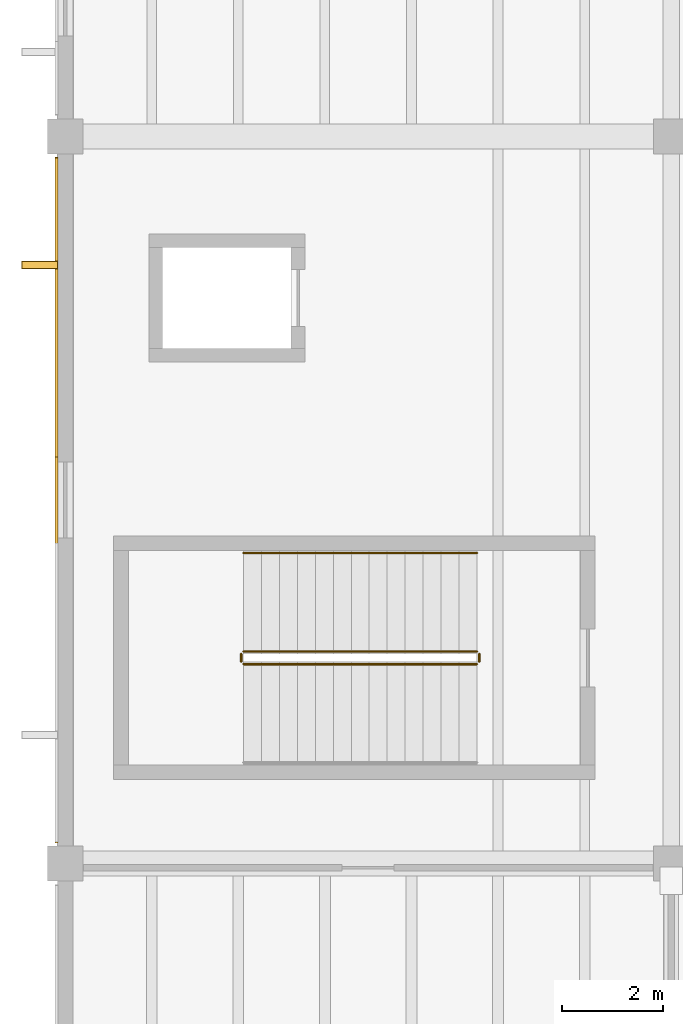
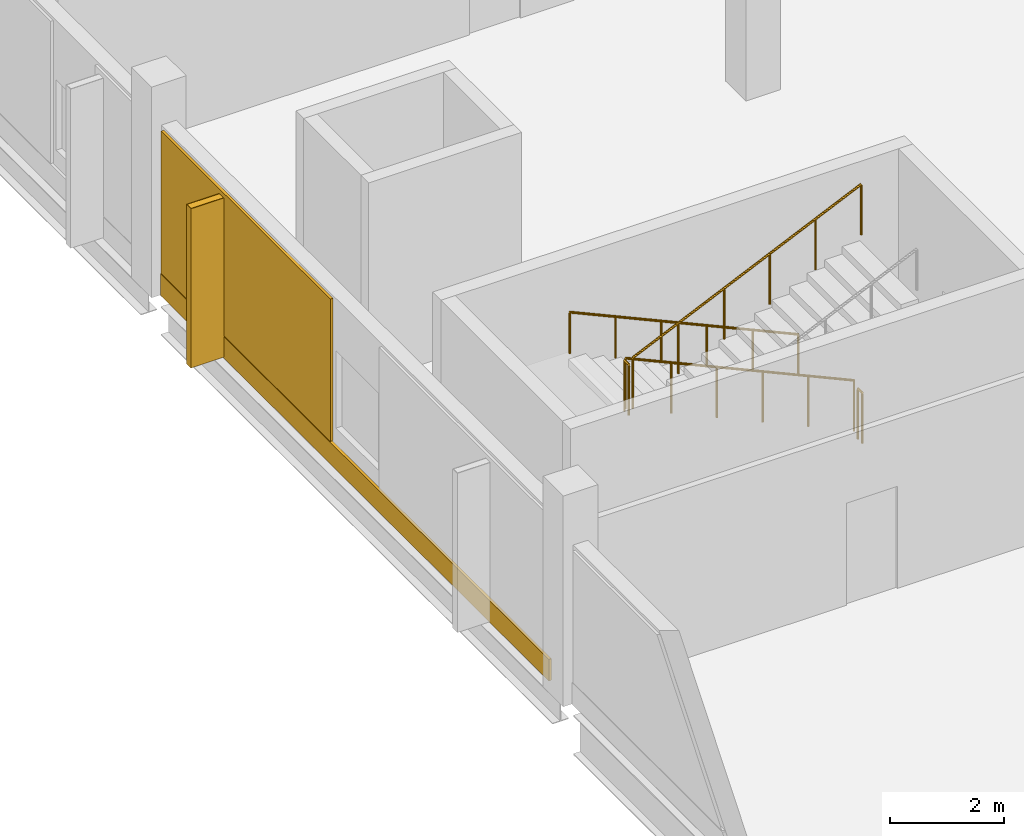
# One storey, part 101 of 114: 5 railings, 3 coverings, 1 shading device.
"""IFC4 building model written with IfcOpenShell, lengths in metres."""

from ifc_helpers import new_model, si_unit, direction, frame, origin, origin_2d, place, context, subcontext, project, spatial, rectangle, circle, extrude, material, layer, layer_set, type_object, element, save


model = new_model("IFC4")

# Units and contexts
model_context = context("Model", 3, precision=1e-05, world=origin(), true_north=direction((0.0, 1.0)))
body_context = subcontext(model_context, "Body", "Model", "MODEL_VIEW")
ifc_project = project(units=[si_unit("LENGTHUNIT", "METRE"), si_unit("AREAUNIT", "SQUARE_METRE"), si_unit("VOLUMEUNIT", "CUBIC_METRE"), si_unit("PLANEANGLEUNIT", "RADIAN"), si_unit("MASSUNIT", "GRAM", prefix="KILO")], contexts=[model_context])

# Site, building, storey
site_placement = place(None, origin())
site = spatial("IfcSite", under=ifc_project, at=site_placement, CompositionType="ELEMENT")
building_placement = place(site_placement, origin())
building = spatial("IfcBuilding", under=site, at=building_placement, Name="Kelmvaro Bay Concert Hall", CompositionType="ELEMENT")
storey_placement = place(building_placement, frame((0.0, 0.0, 4.800048828125)))
storey = spatial("IfcBuildingStorey", under=building, at=storey_placement, Name="L01", CompositionType="ELEMENT", Elevation=4.800048828125)

# Shading device
ifc_material_1 = material(Name="Anodised Extruded Aluminium 6063-T6", Category="aluminium")
ifc_layer_1 = layer(ifc_material_1, 3.39990234375)
ifc_layer_set_1 = layer_set([ifc_layer_1], Name="Anodised Extruded Aluminium 6063-T6")
shading_device_type = type_object("IfcShadingDeviceType", Name="Bauhaus Vertical Solar Brise-Soleil Fin 720x3400", PredefinedType="SHUTTER", material=ifc_layer_set_1)
shading_device_placement = place(storey_placement, frame((-0.506103515625, 27.4580078125, 0.06005859375), z_axis=(0.0, 0.0, 1.0), x_axis=(0.0, 1.0, 0.0)))
element("IfcShadingDevice", 1, at=shading_device_placement, inside=storey, type_object=shading_device_type, Name="L01 Solar Brise-Soleil Fin 111", PredefinedType="SHUTTER", context=body_context, shape_type="SweptSolid", body=[
    extrude(rectangle(XDim=0.159912109375, YDim=0.719970703125, at=origin_2d()), origin(), (0.0, 0.0, 1.0), 3.39990234375),
])

# Coverings
ifc_material_2 = material(Name="PVDF-Coated Architectural Aluminium", Category="aluminium")
ifc_layer_2 = layer(ifc_material_2, 0.0400390625)
ifc_layer_set_2 = layer_set([ifc_layer_2], Name="PVDF-Coated Architectural Aluminium")
covering_type_1 = type_object("IfcCoveringType", Name="De Stijl Enamelled Aluminium Fascia Panel 40", PredefinedType="CLADDING", material=ifc_layer_set_2)
covering_1_placement = place(storey_placement, frame((-0.506103515625, 27.4580078125, 0.06005859375), z_axis=(0.0, 0.0, 1.0), x_axis=(0.0, 1.0, 0.0)))
element("IfcCovering", 2, at=covering_1_placement, inside=storey, type_object=covering_type_1, Name="L01 Architectural Vertical Fin Cladding 0557", PredefinedType="CLADDING", context=body_context, shape_type="SweptSolid", body=[
    extrude(rectangle(XDim=0.139892578125, YDim=0.699951171875, at=origin_2d()), origin(), (0.0, 0.0, 1.0), 3.39990234375),
])
ifc_material_3 = material(Name="Honed Florida Limestone Travertine", Category="masonry")
ifc_layer_3 = layer(ifc_material_3, 0.054931640625)
ifc_layer_set_3 = layer_set([ifc_layer_3], Name="Honed Florida Limestone Travertine")
covering_type_2 = type_object("IfcCoveringType", Name="Honed Florida Travertine Rainscreen Cladding 55", PredefinedType="CLADDING", material=ifc_layer_set_3)
covering_2_placement = place(storey_placement, frame((-0.175537109375, 22.800048828125, 0.0400390625), z_axis=(0.0, 0.0, 1.0), x_axis=(0.0, 1.0, 0.0)))
element("IfcCovering", 3, at=covering_2_placement, inside=storey, type_object=covering_type_2, Name="L01 Travertine Sill Band 0555", PredefinedType="CLADDING", context=body_context, shape_type="SweptSolid", body=[
    extrude(rectangle(XDim=13.580078125, YDim=0.054931640625, at=origin_2d()), origin(), (0.0, 0.0, 1.0), 0.4599609375),
])
covering_3_placement = place(storey_placement, frame((-0.175537109375, 26.610107421875, 0.52001953125), z_axis=(0.0, 0.0, 1.0), x_axis=(0.0, 1.0, 0.0)))
element("IfcCovering", 4, at=covering_3_placement, inside=storey, type_object=covering_type_2, Name="L01 Travertine Pier Panel 0559", PredefinedType="CLADDING", context=body_context, shape_type="SweptSolid", body=[
    extrude(rectangle(XDim=5.919921875, YDim=0.054931640625, at=origin_2d()), origin(), (0.0, 0.0, 1.0), 3.0390625),
])

# Railings
ifc_material_4 = material(Name="Brushed Stainless Steel 316", Category="steel")
railing_type_1 = type_object("IfcRailingType", Name="Stair Stainless Wall Handrail 900", PredefinedType="HANDRAIL", material=ifc_material_4)
railing_1_placement = place(storey_placement, frame((8.14990234375, 21.75, 0.16064453125)))
element("IfcRailing", 5, at=railing_1_placement, inside=storey, type_object=railing_type_1, Name="L01 ST-08 stair handrail 1", PredefinedType="HANDRAIL", context=body_context, shape_type="SweptSolid", body=[
    extrude(circle(Radius=0.02392578125, at=origin_2d()), frame((0.0, 0.0, 0.8759765625), z_axis=(-0.910987662999, 0.0, 0.412433604187), x_axis=(0.0, -1.0, 0.0)), (0.0, 0.0, 1.0), 5.06591796875),
    extrude(circle(Radius=0.02099609375, at=origin_2d()), origin(), (0.0, 0.0, 1.0), 0.851806640625),
    extrude(circle(Radius=0.02099609375, at=origin_2d()), frame((-0.923095703125, 0.0, 0.41796875)), (0.0, 0.0, 1.0), 0.851806640625),
    extrude(circle(Radius=0.02099609375, at=origin_2d()), frame((-1.845947265625, 0.0, 0.835693359375)), (0.0, 0.0, 1.0), 0.851806640625),
    extrude(circle(Radius=0.02099609375, at=origin_2d()), frame((-2.76904296875, 0.0, 1.253662109375)), (0.0, 0.0, 1.0), 0.851806640625),
    extrude(circle(Radius=0.02099609375, at=origin_2d()), frame((-3.69189453125, 0.0, 1.67138671875)), (0.0, 0.0, 1.0), 0.851806640625),
    extrude(circle(Radius=0.02099609375, at=origin_2d()), frame((-4.614990234375, 0.0, 2.08935546875)), (0.0, 0.0, 1.0), 0.851806640625),
])
ifc_material_5 = material(Name="Powder-Coated Steel ASTM A500", Category="steel")
railing_type_2 = type_object("IfcRailingType", Name="Stair Well Painted Steel Guard 1100", PredefinedType="BALUSTRADE", material=ifc_material_5)
railing_2_placement = place(storey_placement, frame((8.14990234375, 19.800048828125, 0.16064453125)))
element("IfcRailing", 6, at=railing_2_placement, inside=storey, type_object=railing_type_2, Name="L01 ST-08 stair guard 1", PredefinedType="BALUSTRADE", context=body_context, shape_type="SweptSolid", body=[
    extrude(circle(Radius=0.02392578125, at=origin_2d()), frame((0.0, 0.0, 1.076171875), z_axis=(-0.910987662999, 0.0, 0.412433604187), x_axis=(0.0, -1.0, 0.0)), (0.0, 0.0, 1.0), 5.06591796875),
    extrude(circle(Radius=0.02099609375, at=origin_2d()), origin(), (0.0, 0.0, 1.0), 1.052001953125),
    extrude(circle(Radius=0.02099609375, at=origin_2d()), frame((-0.923095703125, 0.0, 0.41796875)), (0.0, 0.0, 1.0), 1.052001953125),
    extrude(circle(Radius=0.02099609375, at=origin_2d()), frame((-1.845947265625, 0.0, 0.835693359375)), (0.0, 0.0, 1.0), 1.052001953125),
    extrude(circle(Radius=0.02099609375, at=origin_2d()), frame((-2.76904296875, 0.0, 1.253662109375)), (0.0, 0.0, 1.0), 1.052001953125),
    extrude(circle(Radius=0.02099609375, at=origin_2d()), frame((-3.69189453125, 0.0, 1.67138671875)), (0.0, 0.0, 1.0), 1.052001953125),
    extrude(circle(Radius=0.02099609375, at=origin_2d()), frame((-4.614990234375, 0.0, 2.08935546875)), (0.0, 0.0, 1.0), 1.052001953125),
])
railing_3_placement = place(storey_placement, frame((3.485107421875, 19.75, 2.25)))
element("IfcRailing", 7, at=railing_3_placement, inside=storey, type_object=railing_type_2, Name="L01 ST-08 stair guard 2", PredefinedType="BALUSTRADE", context=body_context, shape_type="SweptSolid", body=[
    extrude(circle(Radius=0.02392578125, at=origin_2d()), frame((0.0, 0.0, 1.076171875), z_axis=(0.0, -1.0, 0.0), x_axis=(1.0, 0.0, 0.0)), (0.0, 0.0, 1.0), 0.14990234375),
    extrude(circle(Radius=0.02099609375, at=origin_2d()), origin(), (0.0, 0.0, 1.0), 1.052001953125),
    extrude(circle(Radius=0.02099609375, at=origin_2d()), frame((0.0, -0.14990234375, 0.0)), (0.0, 0.0, 1.0), 1.052001953125),
])
railing_4_placement = place(storey_placement, frame((3.534912109375, 19.550048828125, 2.41064453125)))
element("IfcRailing", 8, at=railing_4_placement, inside=storey, type_object=railing_type_2, Name="L01 ST-08 stair guard 3", PredefinedType="BALUSTRADE", context=body_context, shape_type="SweptSolid", body=[
    extrude(circle(Radius=0.02392578125, at=origin_2d()), frame((0.0, 0.0, 1.076171875), z_axis=(0.910987662999, 0.0, 0.412433604187), x_axis=(0.0, 1.0, 0.0)), (0.0, 0.0, 1.0), 5.06591796875),
    extrude(circle(Radius=0.02099609375, at=origin_2d()), origin(), (0.0, 0.0, 1.0), 1.052001953125),
    extrude(circle(Radius=0.02099609375, at=origin_2d()), frame((0.923095703125, 0.0, 0.41796875)), (0.0, 0.0, 1.0), 1.052001953125),
    extrude(circle(Radius=0.02099609375, at=origin_2d()), frame((1.845947265625, 0.0, 0.835693359375)), (0.0, 0.0, 1.0), 1.052001953125),
    extrude(circle(Radius=0.02099609375, at=origin_2d()), frame((2.76904296875, 0.0, 1.253662109375)), (0.0, 0.0, 1.0), 1.052001953125),
    extrude(circle(Radius=0.02099609375, at=origin_2d()), frame((3.69189453125, 0.0, 1.67138671875)), (0.0, 0.0, 1.0), 1.052001953125),
    extrude(circle(Radius=0.02099609375, at=origin_2d()), frame((4.614990234375, 0.0, 2.08935546875)), (0.0, 0.0, 1.0), 1.052001953125),
])
railing_5_placement = place(storey_placement, frame((8.199951171875, 19.75, 0.0)))
element("IfcRailing", 9, at=railing_5_placement, inside=storey, type_object=railing_type_2, Name="L01 ST-08 stair guard 4", PredefinedType="BALUSTRADE", context=body_context, shape_type="SweptSolid", body=[
    extrude(circle(Radius=0.02392578125, at=origin_2d()), frame((0.0, 0.0, 1.076171875), z_axis=(0.0, -1.0, 0.0), x_axis=(1.0, 0.0, 0.0)), (0.0, 0.0, 1.0), 0.14990234375),
    extrude(circle(Radius=0.02099609375, at=origin_2d()), origin(), (0.0, 0.0, 1.0), 1.052001953125),
    extrude(circle(Radius=0.02099609375, at=origin_2d()), frame((0.0, -0.14990234375, 0.0)), (0.0, 0.0, 1.0), 1.052001953125),
])

save(model, "model.ifc")
